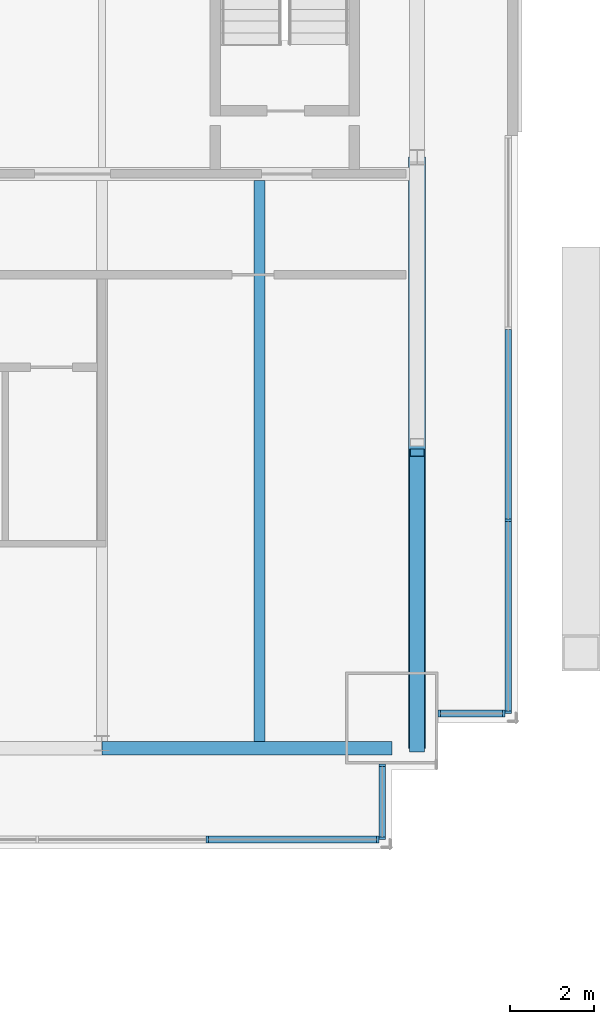
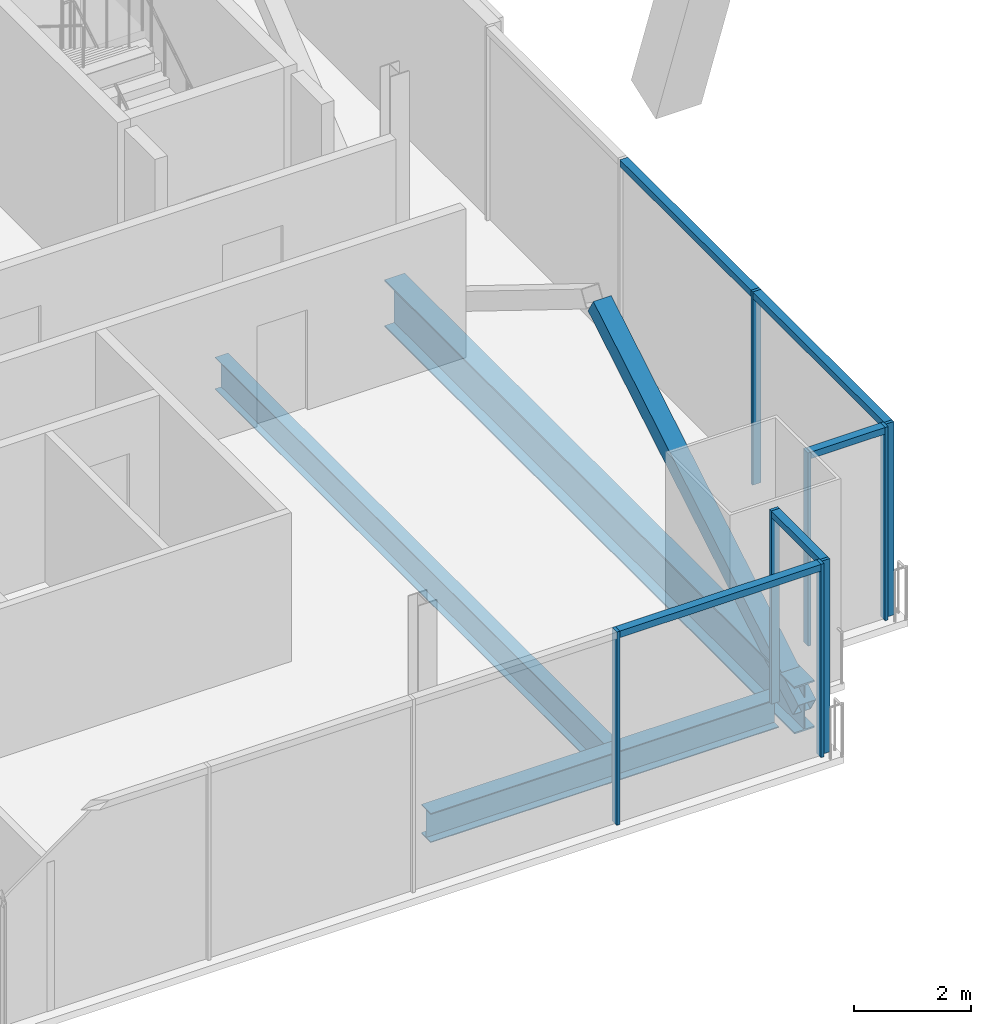
# One storey, part 13 of 23: 14 members, 3 beams, 4 elements without a shape of their own.
"""IFC4 building model written with IfcOpenShell, lengths in metres."""

import ifcopenshell
import ifcopenshell.guid

model = None  # the IFC model being written
_history = None  # IfcOwnerHistory: only IFC2X3 demands one
_inside = {}  # id of a spatial element -> (the spatial element, [elements in it])
_under = {}  # id of a project, library or spatial element -> (it, [spatial elements below it])
_declared = {}  # id of a project -> (the project, [libraries it declares])
_typed = {}  # id of a type object -> (the type object, [elements of that type])
_made_of = {}  # id of a material, layer set ... -> (it, [elements and type objects made of it])


def new_model(schema):
    """Start an empty IFC model of exactly this schema.

    Asked for "IFC4X3", IfcOpenShell would pick the latest addendum, in which some entities
    have other attributes; the version numbers below select the first issue.
    IFC2X3 requires an IfcOwnerHistory on every rooted entity: one is made here for all.
    """
    global model, _history
    if schema == "IFC4X3":
        model = ifcopenshell.file(schema_version=(4, 3, 0, 0))
    else:
        model = ifcopenshell.file(schema=schema)
    _inside.clear()
    _under.clear()
    _declared.clear()
    _typed.clear()
    _made_of.clear()
    _history = None
    if model.schema == "IFC2X3":
        org = make("IfcOrganization", Name="unknown")
        user = make(
            "IfcPersonAndOrganization",
            ThePerson=make("IfcPerson", FamilyName="unknown"),
            TheOrganization=org,
        )
        app = make(
            "IfcApplication",
            ApplicationDeveloper=org,
            Version="unknown",
            ApplicationFullName="unknown",
            ApplicationIdentifier="unknown",
        )
        _history = make(
            "IfcOwnerHistory",
            OwningUser=user,
            OwningApplication=app,
            ChangeAction="ADDED",
            CreationDate=0,
        )
    return model


def make(cls, **values):
    """One entity of the class cls with the attributes given. An attribute that is None is left unset."""
    return model.create_entity(
        cls, **{name: value for name, value in values.items() if value is not None}
    )


def rooted(cls, **values):
    """An entity with a GlobalId (a new one), such as an element, a storey or a relation."""
    return make(cls, GlobalId=ifcopenshell.guid.new(), OwnerHistory=_history, **values)


def si_unit(unit_type, name, prefix=None):
    """IfcSIUnit, for example si_unit("LENGTHUNIT", "METRE", prefix="MILLI")."""
    return make("IfcSIUnit", UnitType=unit_type, Prefix=prefix, Name=name)


def assignment(units):
    """IfcUnitAssignment: the units of a project."""
    return None if units is None else make("IfcUnitAssignment", Units=units)


def point(xyz):
    """IfcCartesianPoint."""
    return None if xyz is None else make("IfcCartesianPoint", Coordinates=xyz)


def direction(xyz):
    """IfcDirection."""
    return None if xyz is None else make("IfcDirection", DirectionRatios=xyz)


def frame(location, z_axis=None, x_axis=None):
    """IfcAxis2Placement3D, a coordinate frame: its origin and axes. An axis left out is left unset."""
    return make(
        "IfcAxis2Placement3D",
        Location=point(location),
        Axis=direction(z_axis),
        RefDirection=direction(x_axis),
    )


def frame_2d(location, x_axis=None):
    """IfcAxis2Placement2D, a coordinate frame in the plane: its origin and x axis."""
    return make(
        "IfcAxis2Placement2D", Location=point(location), RefDirection=direction(x_axis)
    )


def origin():
    """The frame at (0, 0, 0) with its axes left unset."""
    return frame((0.0, 0.0, 0.0))


def origin_2d():
    """The frame at (0, 0) in the plane with its x axis left unset."""
    return frame_2d((0.0, 0.0))


def place(relative_to, where):
    """IfcLocalPlacement: puts the frame where relative to a parent placement (None: the world)."""
    return make(
        "IfcLocalPlacement", PlacementRelTo=relative_to, RelativePlacement=where
    )


def context(
    kind, dimensions, precision=None, world=None, true_north=None, identifier=None
):
    """IfcGeometricRepresentationContext, for example the 3D "Model" context."""
    return make(
        "IfcGeometricRepresentationContext",
        ContextIdentifier=identifier,
        ContextType=kind,
        CoordinateSpaceDimension=dimensions,
        Precision=precision,
        WorldCoordinateSystem=world,
        TrueNorth=true_north,
    )


def subcontext(parent, identifier, kind, view, scale=None):
    """IfcGeometricRepresentationSubContext, for example "Body" below "Model"."""
    return make(
        "IfcGeometricRepresentationSubContext",
        ContextIdentifier=identifier,
        ContextType=kind,
        ParentContext=parent,
        TargetScale=scale,
        TargetView=view,
    )


def project(units=None, contexts=None):
    """IfcProject with its units and contexts."""
    return rooted(
        "IfcProject",
        Name="project",
        RepresentationContexts=contexts,
        UnitsInContext=assignment(units),
    )


def spatial(cls, under=None, at=None, **own):
    """A site, building, storey or space (cls), placed at a placement, below another one or the project."""
    s = rooted(cls, ObjectPlacement=at, **own)
    if under is not None:
        _under.setdefault(under.id(), (under, []))[1].append(s)
    return s


def profile(cls, at=None, kind="AREA", **sizes):
    """A parametric profile (cls). Its sizes go by their IFC names, for example OverallWidth=200.0."""
    return make(cls, ProfileType=kind, Position=at, **sizes)


def rectangle(**sizes):
    """IfcRectangleProfileDef."""
    return profile("IfcRectangleProfileDef", **sizes)


def hollow_rectangle(**sizes):
    """IfcRectangleHollowProfileDef."""
    return profile("IfcRectangleHollowProfileDef", **sizes)


def i_section(**sizes):
    """IfcIShapeProfileDef."""
    return profile("IfcIShapeProfileDef", **sizes)


def extrude(swept, where, along, depth):
    """IfcExtrudedAreaSolid: the profile swept, set in the frame where, extruded along a direction by depth."""
    return make(
        "IfcExtrudedAreaSolid",
        SweptArea=swept,
        Position=where,
        ExtrudedDirection=direction(along),
        Depth=depth,
    )


def shape(context_of_items, identifier, shape_type, items):
    """IfcShapeRepresentation: the items that make up one representation, for example the "Body"."""
    return make(
        "IfcShapeRepresentation",
        ContextOfItems=context_of_items,
        RepresentationIdentifier=identifier,
        RepresentationType=shape_type,
        Items=items,
    )


def material(Name=None, Category=None):
    """IfcMaterial."""
    return make("IfcMaterial", Name=Name, Category=Category)


def material_profile(
    of_material, cross_section, Name=None, Category=None, Priority=None
):
    """IfcMaterialProfile: a cross section and its material."""
    return make(
        "IfcMaterialProfile",
        Name=Name,
        Material=of_material,
        Profile=cross_section,
        Priority=Priority,
        Category=Category,
    )


def profile_set(profiles, Name=None, composite=None):
    """IfcMaterialProfileSet."""
    return make(
        "IfcMaterialProfileSet",
        Name=Name,
        MaterialProfiles=profiles,
        CompositeProfile=composite,
    )


def made_of(thing, what):
    """Note that an element or type object is made of a material, layer set ...; save() writes the relation."""
    if what is not None:
        _made_of.setdefault(what.id(), (what, []))[1].append(thing)
    return thing


def type_object(cls, material=None, **own):
    """A type object (cls), such as IfcWallType, which elements share."""
    return made_of(rooted(cls, **own), material)


def element(
    cls,
    number,
    at=None,
    inside=None,
    cuts=None,
    type_object=None,
    material=None,
    context=None,
    identifier="Body",
    shape_type=None,
    held_by="IfcProductDefinitionShape",
    body=None,
    shapes=None,
    **own,
):
    """One element of the class cls, such as IfcWall. Its Tag is "e" and its number.

    at: its placement. inside: the storey or other place that contains it. cuts: it is an
    opening in that element (IfcRelVoidsElement). A single representation is given by context,
    identifier, shape_type and body (its items); several are given by shapes. held_by: the class
    of the entity that holds the representations. save() writes the other relations.
    """
    e = rooted(cls, Tag="e%d" % number, ObjectPlacement=at, **own)
    if body is not None:
        shapes = [shape(context, identifier, shape_type, body)]
    if shapes is not None:
        e.Representation = make(held_by, Representations=shapes)
    if inside is not None:
        _inside.setdefault(inside.id(), (inside, []))[1].append(e)
    if cuts is not None:
        rooted(
            "IfcRelVoidsElement", RelatingBuildingElement=cuts, RelatedOpeningElement=e
        )
    if type_object is not None:
        _typed.setdefault(type_object.id(), (type_object, []))[1].append(e)
    return made_of(e, material)


def aggregate(whole, parts):
    """IfcRelAggregates: a whole, such as a stair, and the parts it consists of."""
    return rooted("IfcRelAggregates", RelatingObject=whole, RelatedObjects=parts)


def save(model, path):
    """Write the relations noted so far, then the file.

    IfcRelAggregates (storeys below a building ...), IfcRelContainedInSpatialStructure (elements
    in a storey), IfcRelDefinesByType, IfcRelAssociatesMaterial and IfcRelDeclares: one each for
    every whole, place, type object, material and project.
    """
    for whole, parts in _under.values():
        aggregate(whole, parts)
    for where, things in _inside.values():
        rooted(
            "IfcRelContainedInSpatialStructure",
            RelatedElements=things,
            RelatingStructure=where,
        )
    for kind, things in _typed.values():
        rooted("IfcRelDefinesByType", RelatedObjects=things, RelatingType=kind)
    for what, things in _made_of.values():
        rooted("IfcRelAssociatesMaterial", RelatedObjects=things, RelatingMaterial=what)
    for by, libraries in _declared.values():
        rooted("IfcRelDeclares", RelatingContext=by, RelatedDefinitions=libraries)
    model.write(path)


model = new_model("IFC4")

# Units and contexts
model_context = context("Model", 3, precision=1e-05, world=origin(), true_north=direction((0.0, 1.0)))
body_context = subcontext(model_context, "Body", "Model", "MODEL_VIEW")
ifc_project = project(units=[si_unit("LENGTHUNIT", "METRE"), si_unit("AREAUNIT", "SQUARE_METRE"), si_unit("VOLUMEUNIT", "CUBIC_METRE"), si_unit("PLANEANGLEUNIT", "RADIAN"), si_unit("MASSUNIT", "GRAM", prefix="KILO")], contexts=[model_context])

# Site, building, storey
site_placement = place(None, origin())
site = spatial("IfcSite", under=ifc_project, at=site_placement, CompositionType="ELEMENT")
building_placement = place(site_placement, origin())
building = spatial("IfcBuilding", under=site, at=building_placement, Name="Bicima Exchange Tower", CompositionType="ELEMENT")
storey_placement = place(building_placement, frame((0.0, 0.0, 262.39990234375)))
storey = spatial("IfcBuildingStorey", under=building, at=storey_placement, Name="L59", CompositionType="ELEMENT", Elevation=262.39990234375)

# Curtain wall, members
ifc_material_1 = material(Name="Anodised bronze aluminium", Category="aluminium")
curtain_wall_type_1 = type_object("IfcCurtainWallType", Name="End face glass wall", PredefinedType="NOTDEFINED", material=ifc_material_1)
curtain_wall_1_placement = place(storey_placement, origin())
curtain_wall_1 = element("IfcCurtainWall", 1, at=curtain_wall_1_placement, inside=storey, type_object=curtain_wall_type_1, Name="End face glass wall L59 run 19", PredefinedType="NOTDEFINED")
ifc_material_profile_1 = material_profile(ifc_material_1, rectangle(XDim=0.159912109375, YDim=0.06005859375, at=origin_2d()))
ifc_profile_set_1 = profile_set([ifc_material_profile_1], Name="Anodised bronze aluminium")
member_type_1 = type_object("IfcMemberType", Name="End face glass wall mullion 60 x 160", PredefinedType="MULLION", material=ifc_profile_set_1)
member_1_placement = place(storey_placement, frame((35.77001953125, -25.80810546875, 0.0), z_axis=(0.0, 0.0, 1.0), x_axis=(-1.0, 0.0, 0.0)))
member_1 = element("IfcMember", 2, at=member_1_placement, type_object=member_type_1, Name="End face glass wall mullion 1", PredefinedType="MULLION", context=body_context, shape_type="SweptSolid", body=[
    extrude(rectangle(XDim=0.159912109375, YDim=0.06005859375, at=origin_2d()), origin(), (0.0, 0.0, 1.0), 4.050048828125),
])
member_2_placement = place(storey_placement, frame((35.77001953125, -21.241943359375, 0.0), z_axis=(0.0, 0.0, 1.0), x_axis=(-1.0, 0.0, 0.0)))
member_2 = element("IfcMember", 3, at=member_2_placement, type_object=member_type_1, Name="End face glass wall mullion 2", PredefinedType="MULLION", context=body_context, shape_type="SweptSolid", body=[
    extrude(rectangle(XDim=0.159912109375, YDim=0.06005859375, at=origin_2d()), origin(), (0.0, 0.0, 1.0), 4.050048828125),
])
ifc_material_profile_2 = material_profile(ifc_material_1, rectangle(XDim=0.159912109375, YDim=0.139892578125, at=origin_2d()))
ifc_profile_set_2 = profile_set([ifc_material_profile_2], Name="Anodised bronze aluminium")
member_type_2 = type_object("IfcMemberType", Name="End face glass wall transom 140 x 160", PredefinedType="USERDEFINED", material=ifc_profile_set_2)
member_3_placement = place(storey_placement, frame((35.77001953125, -25.778076171875, 3.97998046875), z_axis=(0.0, 1.0, 0.0), x_axis=(-1.0, 0.0, 0.0)))
member_3 = element("IfcMember", 4, at=member_3_placement, type_object=member_type_2, Name="End face glass wall transom 1.1", ObjectType="TRANSOM", PredefinedType="USERDEFINED", context=body_context, shape_type="SweptSolid", body=[
    extrude(rectangle(XDim=0.159912109375, YDim=0.139892578125, at=origin_2d()), origin(), (0.0, 0.0, 1.0), 4.506103515625),
])
member_4_placement = place(storey_placement, frame((35.77001953125, -21.2119140625, 3.97998046875), z_axis=(0.0, 1.0, 0.0), x_axis=(-1.0, 0.0, 0.0)))
member_4 = element("IfcMember", 5, at=member_4_placement, type_object=member_type_2, Name="End face glass wall transom 2.1", ObjectType="TRANSOM", PredefinedType="USERDEFINED", context=body_context, shape_type="SweptSolid", body=[
    extrude(rectangle(XDim=0.159912109375, YDim=0.139892578125, at=origin_2d()), origin(), (0.0, 0.0, 1.0), 4.505859375),
])
aggregate(curtain_wall_1, [member_1, member_2, member_3, member_4])

# Beams
ifc_material_2 = material(Name="Steel ASTM A992 Gr 50", Category="steel")
ifc_material_profile_3 = material_profile(ifc_material_2, i_section(OverallWidth=0.4013671875, OverallDepth=0.990478515625, WebThickness=0.0166015625, FlangeThickness=0.031005859375, at=origin_2d()))
ifc_profile_set_3 = profile_set([ifc_material_profile_3], Name="Steel ASTM A992 Gr 50")
beam_type_1 = type_object("IfcBeamType", Name="End girder W40x215", PredefinedType="BEAM", material=ifc_profile_set_3)
beam_1_placement = place(storey_placement, frame((33.60009765625, -12.60009765625, -0.645263671875), z_axis=(0.0, -1.0, 0.0), x_axis=(1.0, 0.0, 0.0)))
element("IfcBeam", 6, at=beam_1_placement, inside=storey, type_object=beam_type_1, Name="End girder", PredefinedType="BEAM", context=body_context, shape_type="SweptSolid", body=[
    extrude(i_section(OverallWidth=0.4013671875, OverallDepth=0.990478515625, WebThickness=0.0166015625, FlangeThickness=0.031005859375, at=origin_2d()), origin(), (0.0, 0.0, 1.0), 14.06787109375),
])
ifc_material_profile_4 = material_profile(ifc_material_2, i_section(OverallWidth=0.25390625, OverallDepth=0.67822265625, WebThickness=0.01171875, FlangeThickness=0.016357421875, at=origin_2d()))
ifc_profile_set_4 = profile_set([ifc_material_profile_4], Name="Steel ASTM A992 Gr 50")
beam_type_2 = type_object("IfcBeamType", Name="Floor beam W27x84", PredefinedType="JOIST", material=ifc_profile_set_4)
beam_2_placement = place(storey_placement, frame((29.85009765625, -13.15234375, -0.489013671875), z_axis=(0.0, -1.0, 0.0), x_axis=(1.0, 0.0, 0.0)))
element("IfcBeam", 7, at=beam_2_placement, inside=storey, type_object=beam_type_2, Name="Floor beam", PredefinedType="JOIST", context=body_context, shape_type="SweptSolid", body=[
    extrude(i_section(OverallWidth=0.25390625, OverallDepth=0.67822265625, WebThickness=0.01171875, FlangeThickness=0.016357421875, at=origin_2d()), origin(), (0.0, 0.0, 1.0), 13.35302734375),
])
ifc_material_profile_5 = material_profile(ifc_material_2, i_section(OverallWidth=0.3251953125, OverallDepth=0.612060546875, WebThickness=0.0126953125, FlangeThickness=0.01904296875, at=origin_2d()))
ifc_profile_set_5 = profile_set([ifc_material_profile_5], Name="Steel ASTM A992 Gr 50")
beam_type_3 = type_object("IfcBeamType", Name="Front girder W24x104", PredefinedType="BEAM", material=ifc_profile_set_5)
beam_3_placement = place(storey_placement, frame((26.10009765625, -26.66796875, -0.4560546875), z_axis=(1.0, 0.0, 0.0), x_axis=(0.0, 1.0, 0.0)))
element("IfcBeam", 8, at=beam_3_placement, inside=storey, type_object=beam_type_3, Name="Front girder", PredefinedType="BEAM", context=body_context, shape_type="SweptSolid", body=[
    extrude(i_section(OverallWidth=0.3251953125, OverallDepth=0.612060546875, WebThickness=0.0126953125, FlangeThickness=0.01904296875, at=origin_2d()), origin(), (0.0, 0.0, 1.0), 6.89990234375),
])

# Curtain wall, members
curtain_wall_type_2 = type_object("IfcCurtainWallType", Name="Front glass wall", PredefinedType="NOTDEFINED", material=ifc_material_1)
curtain_wall_2_placement = place(storey_placement, origin())
curtain_wall_2 = element("IfcCurtainWall", 9, at=curtain_wall_2_placement, inside=storey, type_object=curtain_wall_type_2, Name="Front glass wall L59 run 16", PredefinedType="NOTDEFINED")
member_type_3 = type_object("IfcMemberType", Name="Front glass wall mullion 60 x 160", PredefinedType="MULLION", material=ifc_profile_set_1)
member_5_placement = place(storey_placement, frame((28.610595703125, -28.837890625, 0.0), z_axis=(0.0, 0.0, 1.0), x_axis=(0.0, 1.0, 0.0)))
member_5 = element("IfcMember", 10, at=member_5_placement, type_object=member_type_3, Name="Front glass wall mullion 4", PredefinedType="MULLION", context=body_context, shape_type="SweptSolid", body=[
    extrude(rectangle(XDim=0.159912109375, YDim=0.06005859375, at=origin_2d()), origin(), (0.0, 0.0, 1.0), 4.050048828125),
])
member_6_placement = place(storey_placement, frame((32.659912109375, -28.837890625, 0.0), z_axis=(0.0, 0.0, 1.0), x_axis=(0.0, 1.0, 0.0)))
member_6 = element("IfcMember", 11, at=member_6_placement, type_object=member_type_3, Name="Front glass wall mullion 5", PredefinedType="MULLION", context=body_context, shape_type="SweptSolid", body=[
    extrude(rectangle(XDim=0.159912109375, YDim=0.06005859375, at=origin_2d()), origin(), (0.0, 0.0, 1.0), 4.050048828125),
])

curtain_wall_3_placement = place(storey_placement, origin())
curtain_wall_3 = element("IfcCurtainWall", 12, at=curtain_wall_3_placement, inside=storey, type_object=curtain_wall_type_2, Name="Front glass wall L59 run 17", PredefinedType="NOTDEFINED")
member_7_placement = place(storey_placement, frame((32.77001953125, -28.80810546875, 0.0), z_axis=(0.0, 0.0, 1.0), x_axis=(-1.0, 0.0, 0.0)))
member_7 = element("IfcMember", 13, at=member_7_placement, type_object=member_type_3, Name="Front glass wall mullion 1", PredefinedType="MULLION", context=body_context, shape_type="SweptSolid", body=[
    extrude(rectangle(XDim=0.159912109375, YDim=0.06005859375, at=origin_2d()), origin(), (0.0, 0.0, 1.0), 4.050048828125),
])
member_8_placement = place(storey_placement, frame((32.77001953125, -27.075927734375, 0.0), z_axis=(0.0, 0.0, 1.0), x_axis=(-1.0, 0.0, 0.0)))
member_8 = element("IfcMember", 14, at=member_8_placement, type_object=member_type_3, Name="Front glass wall mullion 2", PredefinedType="MULLION", context=body_context, shape_type="SweptSolid", body=[
    extrude(rectangle(XDim=0.159912109375, YDim=0.06005859375, at=origin_2d()), origin(), (0.0, 0.0, 1.0), 4.050048828125),
])

curtain_wall_4_placement = place(storey_placement, origin())
curtain_wall_4 = element("IfcCurtainWall", 15, at=curtain_wall_4_placement, inside=storey, type_object=curtain_wall_type_2, Name="Front glass wall L59 run 18", PredefinedType="NOTDEFINED")
member_9_placement = place(storey_placement, frame((34.1298828125, -25.837890625, 0.0), z_axis=(0.0, 0.0, 1.0), x_axis=(0.0, 1.0, 0.0)))
member_9 = element("IfcMember", 16, at=member_9_placement, type_object=member_type_3, Name="Front glass wall mullion 1", PredefinedType="MULLION", context=body_context, shape_type="SweptSolid", body=[
    extrude(rectangle(XDim=0.159912109375, YDim=0.06005859375, at=origin_2d()), origin(), (0.0, 0.0, 1.0), 4.050048828125),
])
member_10_placement = place(storey_placement, frame((35.659912109375, -25.837890625, 0.0), z_axis=(0.0, 0.0, 1.0), x_axis=(0.0, 1.0, 0.0)))
member_10 = element("IfcMember", 17, at=member_10_placement, type_object=member_type_3, Name="Front glass wall mullion 2", PredefinedType="MULLION", context=body_context, shape_type="SweptSolid", body=[
    extrude(rectangle(XDim=0.159912109375, YDim=0.06005859375, at=origin_2d()), origin(), (0.0, 0.0, 1.0), 4.050048828125),
])

# Member
member_type_4 = type_object("IfcMemberType", Name="Front glass wall transom 140 x 160", PredefinedType="USERDEFINED", material=ifc_profile_set_2)
member_11_placement = place(storey_placement, frame((28.640380859375, -28.837890625, 3.97998046875), z_axis=(1.0, 0.0, 0.0), x_axis=(0.0, 1.0, 0.0)))
member_11 = element("IfcMember", 18, at=member_11_placement, type_object=member_type_4, Name="Front glass wall transom 4.1", ObjectType="TRANSOM", PredefinedType="USERDEFINED", context=body_context, shape_type="SweptSolid", body=[
    extrude(rectangle(XDim=0.159912109375, YDim=0.139892578125, at=origin_2d()), origin(), (0.0, 0.0, 1.0), 3.989501953125),
])

aggregate(curtain_wall_2, [member_5, member_6, member_11])

member_12_placement = place(storey_placement, frame((32.77001953125, -28.778076171875, 3.97998046875), z_axis=(0.0, 1.0, 0.0), x_axis=(-1.0, 0.0, 0.0)))
member_12 = element("IfcMember", 19, at=member_12_placement, type_object=member_type_4, Name="Front glass wall transom 1.1", ObjectType="TRANSOM", PredefinedType="USERDEFINED", context=body_context, shape_type="SweptSolid", body=[
    extrude(rectangle(XDim=0.159912109375, YDim=0.139892578125, at=origin_2d()), origin(), (0.0, 0.0, 1.0), 1.672119140625),
])

aggregate(curtain_wall_3, [member_7, member_8, member_12])

member_13_placement = place(storey_placement, frame((34.159912109375, -25.837890625, 3.97998046875), z_axis=(1.0, 0.0, 0.0), x_axis=(0.0, 1.0, 0.0)))
member_13 = element("IfcMember", 20, at=member_13_placement, type_object=member_type_4, Name="Front glass wall transom 1.1", ObjectType="TRANSOM", PredefinedType="USERDEFINED", context=body_context, shape_type="SweptSolid", body=[
    extrude(rectangle(XDim=0.159912109375, YDim=0.139892578125, at=origin_2d()), origin(), (0.0, 0.0, 1.0), 1.469970703125),
])

aggregate(curtain_wall_4, [member_9, member_10, member_13])

ifc_material_3 = material(Name="Steel ASTM A572 Gr 50", Category="steel")
ifc_material_profile_6 = material_profile(ifc_material_3, hollow_rectangle(XDim=0.355712890625, YDim=0.355712890625, WallThickness=0.0146484375, at=origin_2d()))
ifc_profile_set_6 = profile_set([ifc_material_profile_6], Name="Steel ASTM A572 Gr 50")
member_type_5 = type_object("IfcMemberType", Name="Mega brace HSS14x14x5/8", PredefinedType="BRACE", material=ifc_profile_set_6)
member_14_placement = place(storey_placement, frame((33.60009765625, -26.66796875, -0.645263671875), z_axis=(0.0, 0.858590091642, 0.512662710302), x_axis=(-1.0, 0.0, 0.0)))
element("IfcMember", 21, at=member_14_placement, inside=storey, type_object=member_type_5, Name="Mega brace east end", PredefinedType="BRACE", context=body_context, shape_type="SweptSolid", body=[
    extrude(hollow_rectangle(XDim=0.355712890625, YDim=0.355712890625, WallThickness=0.0146484375, at=origin_2d()), origin(), (0.0, 0.0, 1.0), 8.1923828125),
])

save(model, "model.ifc")
